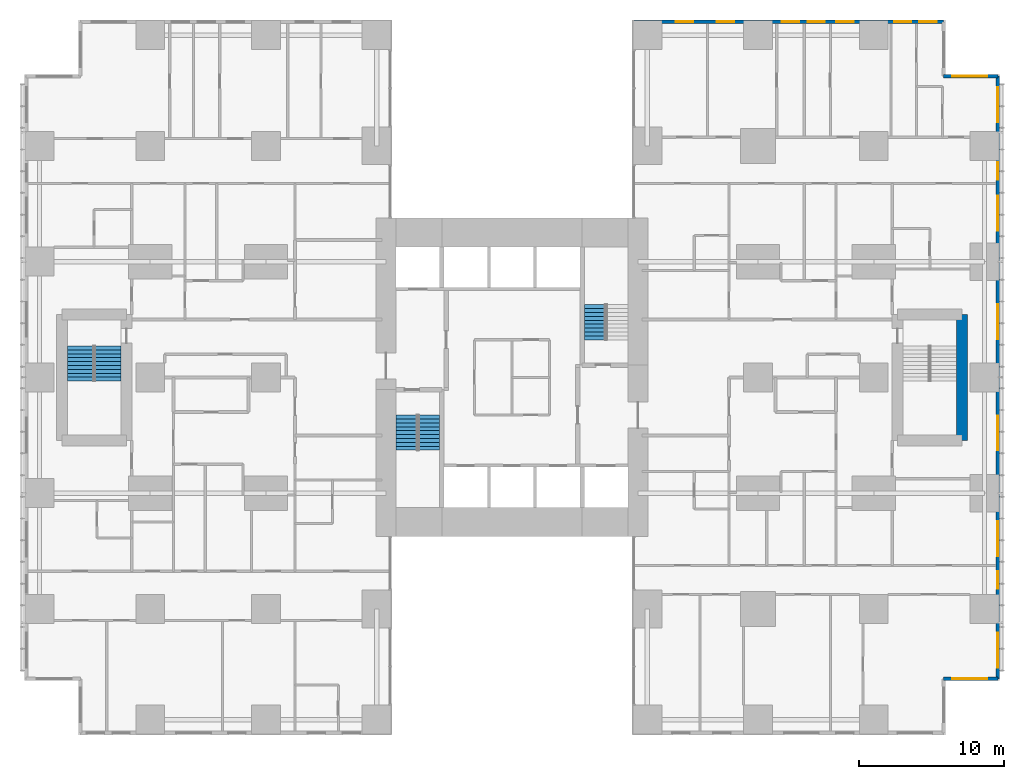
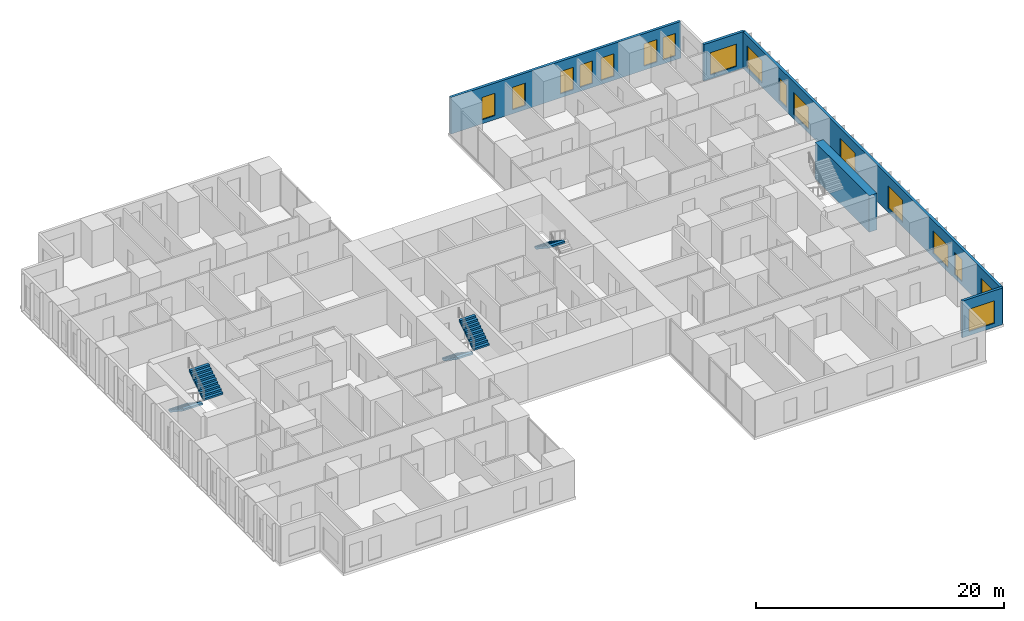
# One storey, part 19 of 21: 17 windows, 5 stair flights, 5 walls, 17 openings, 3 elements without a shape of their own.
"""IFC4 building model written with IfcOpenShell, lengths in metres."""

from ifc_helpers import new_model, si_unit, direction, frame, frame_2d, origin, place, context, subcontext, project, spatial, polyline, rectangle, outline, extrude, material, layer, layer_set, type_object, element, fill, aggregate, save


model = new_model("IFC4")

# Units and contexts
model_context = context("Model", 3, precision=1e-05, world=origin(), true_north=direction((0.0, 1.0)))
body_context = subcontext(model_context, "Body", "Model", "MODEL_VIEW")
ifc_project = project(units=[si_unit("LENGTHUNIT", "METRE"), si_unit("AREAUNIT", "SQUARE_METRE"), si_unit("VOLUMEUNIT", "CUBIC_METRE"), si_unit("PLANEANGLEUNIT", "RADIAN"), si_unit("MASSUNIT", "GRAM", prefix="KILO")], contexts=[model_context])

# Site, building, storey
site_placement = place(None, origin())
site = spatial("IfcSite", under=ifc_project, at=site_placement, CompositionType="ELEMENT")
building_placement = place(site_placement, origin())
building = spatial("IfcBuilding", under=site, at=building_placement, Name="Cleftline Residences", CompositionType="ELEMENT")
storey_placement = place(building_placement, frame((0.0, 0.0, 161.0)))
storey = spatial("IfcBuildingStorey", under=building, at=storey_placement, Name="L42", CompositionType="ELEMENT", Elevation=161.0)

# Wall, opening, window
ifc_material_1 = material(Name="Rendered reinforced concrete blockwork", Category="masonry")
ifc_layer_1 = layer(ifc_material_1, 0.25)
ifc_layer_set_1 = layer_set([ifc_layer_1], Name="EXTERNAL WALL 250")
wall_type_1 = type_object("IfcWallType", Name="EXTERNAL WALL 250", PredefinedType="SOLIDWALL", material=ifc_layer_set_1)
wall_1_placement = place(storey_placement, frame((62.824951171875, 3.175048828125, 0.0), z_axis=(0.0, 0.0, 1.0), x_axis=(1.0, 0.0, 0.0)))
wall_1 = element("IfcWall", 1, at=wall_1_placement, inside=storey, type_object=wall_type_1, Name="External wall", PredefinedType="SOLIDWALL", context=body_context, shape_type="SweptSolid", body=[
    extrude(rectangle(XDim=3.75, YDim=0.25, at=frame_2d((1.875, 0.0))), origin(), (0.0, 0.0, 1.0), 3.60009765625),
])
opening_1_placement = place(wall_1_placement, frame((0.612548828125, 0.0, 0.39990234375)))
opening_1 = element("IfcOpeningElement", 2, at=opening_1_placement, cuts=wall_1, Name="Opening W12", PredefinedType="OPENING", context=body_context, shape_type="SweptSolid", body=[
    extrude(rectangle(XDim=2.39990234375, YDim=2.199951171875, at=frame_2d((1.199951171875, 1.10009765625))), frame((0.0, 0.135009765625, 0.0), z_axis=(0.0, -1.0, 0.0), x_axis=(1.0, 0.0, 0.0)), (0.0, 0.0, 1.0), 0.27001953125),
])
ifc_material_2 = material(Name="Aluminium frame, clear double glazing", Category="aluminium")
window_type_1 = type_object("IfcWindowType", Name="WINDOW 2400X2200", PartitioningType="DOUBLE_PANEL_VERTICAL", PredefinedType="WINDOW", material=ifc_material_2)
window_1_placement = place(opening_1_placement, origin())
window_1 = element("IfcWindow", 3, at=window_1_placement, inside=storey, type_object=window_type_1, Name="Window", OverallHeight=2.199951171875, OverallWidth=2.39990234375, PartitioningType="SINGLE_PANEL", PredefinedType="WINDOW", context=body_context, shape_type="SweptSolid", body=[
    extrude(rectangle(XDim=2.39990234375, YDim=2.199951171875, at=frame_2d((1.199951171875, 1.10009765625))), frame((0.0, 0.030029296875, 0.0), z_axis=(0.0, -1.0, 0.0), x_axis=(1.0, 0.0, 0.0)), (0.0, 0.0, 1.0), 0.06005859375),
])
fill(opening_1, window_1)

# Wall, openings, windows
wall_2_placement = place(storey_placement, frame((66.574951171875, 3.175048828125, 0.0), z_axis=(0.0, 0.0, 1.0), x_axis=(0.0, 1.0, 0.0)))
wall_2 = element("IfcWall", 4, at=wall_2_placement, inside=storey, type_object=wall_type_1, Name="External wall", PredefinedType="SOLIDWALL", context=body_context, shape_type="SweptSolid", body=[
    extrude(rectangle(XDim=41.64990234375, YDim=0.25, at=frame_2d((20.824951171875, 0.0))), origin(), (0.0, 0.0, 1.0), 3.60009765625),
])
opening_2_placement = place(wall_2_placement, frame((0.77490234375, 0.0, 0.39990234375)))
opening_2 = element("IfcOpeningElement", 5, at=opening_2_placement, cuts=wall_2, Name="Opening W12", PredefinedType="OPENING", context=body_context, shape_type="SweptSolid", body=[
    extrude(rectangle(XDim=2.39990234375, YDim=2.199951171875, at=frame_2d((1.199951171875, 1.10009765625))), frame((0.0, 0.135009765625, 0.0), z_axis=(0.0, -1.0, 0.0), x_axis=(1.0, 0.0, 0.0)), (0.0, 0.0, 1.0), 0.27001953125),
])
opening_3_placement = place(wall_2_placement, frame((6.22509765625, 0.0, 0.39990234375)))
opening_3 = element("IfcOpeningElement", 6, at=opening_3_placement, cuts=wall_2, Name="Opening W11", PredefinedType="OPENING", context=body_context, shape_type="SweptSolid", body=[
    extrude(rectangle(XDim=1.199951171875, YDim=2.199951171875, at=frame_2d((0.60009765625, 1.10009765625))), frame((0.0, 0.135009765625, 0.0), z_axis=(0.0, -1.0, 0.0), x_axis=(1.0, 0.0, 0.0)), (0.0, 0.0, 1.0), 0.27001953125),
])
opening_4_placement = place(wall_2_placement, frame((8.47509765625, 0.0, 0.39990234375)))
opening_4 = element("IfcOpeningElement", 7, at=opening_4_placement, cuts=wall_2, Name="Opening W12", PredefinedType="OPENING", context=body_context, shape_type="SweptSolid", body=[
    extrude(rectangle(XDim=2.39990234375, YDim=2.199951171875, at=frame_2d((1.199951171875, 1.10009765625))), frame((0.0, 0.135009765625, 0.0), z_axis=(0.0, -1.0, 0.0), x_axis=(1.0, 0.0, 0.0)), (0.0, 0.0, 1.0), 0.27001953125),
])
opening_5_placement = place(wall_2_placement, frame((15.77490234375, 0.0, 0.39990234375)))
opening_5 = element("IfcOpeningElement", 8, at=opening_5_placement, cuts=wall_2, Name="Opening W12", PredefinedType="OPENING", context=body_context, shape_type="SweptSolid", body=[
    extrude(rectangle(XDim=2.39990234375, YDim=2.199951171875, at=frame_2d((1.199951171875, 1.10009765625))), frame((0.0, 0.135009765625, 0.0), z_axis=(0.0, -1.0, 0.0), x_axis=(1.0, 0.0, 0.0)), (0.0, 0.0, 1.0), 0.27001953125),
])
opening_6_placement = place(wall_2_placement, frame((23.47509765625, 0.0, 0.39990234375)))
opening_6 = element("IfcOpeningElement", 9, at=opening_6_placement, cuts=wall_2, Name="Opening W12", PredefinedType="OPENING", context=body_context, shape_type="SweptSolid", body=[
    extrude(rectangle(XDim=2.39990234375, YDim=2.199951171875, at=frame_2d((1.199951171875, 1.10009765625))), frame((0.0, 0.135009765625, 0.0), z_axis=(0.0, -1.0, 0.0), x_axis=(1.0, 0.0, 0.0)), (0.0, 0.0, 1.0), 0.27001953125),
])
opening_7_placement = place(wall_2_placement, frame((30.97509765625, 0.0, 0.39990234375)))
opening_7 = element("IfcOpeningElement", 10, at=opening_7_placement, cuts=wall_2, Name="Opening W12", PredefinedType="OPENING", context=body_context, shape_type="SweptSolid", body=[
    extrude(rectangle(XDim=2.39990234375, YDim=2.199951171875, at=frame_2d((1.199951171875, 1.10009765625))), frame((0.0, 0.135009765625, 0.0), z_axis=(0.0, -1.0, 0.0), x_axis=(1.0, 0.0, 0.0)), (0.0, 0.0, 1.0), 0.27001953125),
])
opening_8_placement = place(wall_2_placement, frame((34.5, 0.0, 0.39990234375)))
opening_8 = element("IfcOpeningElement", 11, at=opening_8_placement, cuts=wall_2, Name="Opening W11", PredefinedType="OPENING", context=body_context, shape_type="SweptSolid", body=[
    extrude(rectangle(XDim=1.199951171875, YDim=2.199951171875, at=frame_2d((0.60009765625, 1.10009765625))), frame((0.0, 0.135009765625, 0.0), z_axis=(0.0, -1.0, 0.0), x_axis=(1.0, 0.0, 0.0)), (0.0, 0.0, 1.0), 0.27001953125),
])
opening_9_placement = place(wall_2_placement, frame((38.47509765625, 0.0, 0.39990234375)))
opening_9 = element("IfcOpeningElement", 12, at=opening_9_placement, cuts=wall_2, Name="Opening W12", PredefinedType="OPENING", context=body_context, shape_type="SweptSolid", body=[
    extrude(rectangle(XDim=2.39990234375, YDim=2.199951171875, at=frame_2d((1.199951171875, 1.10009765625))), frame((0.0, 0.135009765625, 0.0), z_axis=(0.0, -1.0, 0.0), x_axis=(1.0, 0.0, 0.0)), (0.0, 0.0, 1.0), 0.27001953125),
])
ifc_material_3 = material(Name="Aluminium frame, clear double glazing", Category="aluminium")
window_type_2 = type_object("IfcWindowType", Name="WINDOW 1200X2200", PartitioningType="DOUBLE_PANEL_VERTICAL", PredefinedType="WINDOW", material=ifc_material_3)
window_2_placement = place(opening_3_placement, origin())
window_2 = element("IfcWindow", 13, at=window_2_placement, inside=storey, type_object=window_type_2, Name="Window", OverallHeight=2.199951171875, OverallWidth=1.199951171875, PartitioningType="SINGLE_PANEL", PredefinedType="WINDOW", context=body_context, shape_type="SweptSolid", body=[
    extrude(rectangle(XDim=1.199951171875, YDim=2.199951171875, at=frame_2d((0.60009765625, 1.10009765625))), frame((0.0, 0.030029296875, 0.0), z_axis=(0.0, -1.0, 0.0), x_axis=(1.0, 0.0, 0.0)), (0.0, 0.0, 1.0), 0.06005859375),
])
fill(opening_3, window_2)
window_3_placement = place(opening_8_placement, origin())
window_3 = element("IfcWindow", 14, at=window_3_placement, inside=storey, type_object=window_type_2, Name="Window", OverallHeight=2.199951171875, OverallWidth=1.199951171875, PartitioningType="SINGLE_PANEL", PredefinedType="WINDOW", context=body_context, shape_type="SweptSolid", body=[
    extrude(rectangle(XDim=1.199951171875, YDim=2.199951171875, at=frame_2d((0.60009765625, 1.10009765625))), frame((0.0, 0.030029296875, 0.0), z_axis=(0.0, -1.0, 0.0), x_axis=(1.0, 0.0, 0.0)), (0.0, 0.0, 1.0), 0.06005859375),
])
fill(opening_8, window_3)
window_4_placement = place(opening_2_placement, origin())
window_4 = element("IfcWindow", 15, at=window_4_placement, inside=storey, type_object=window_type_1, Name="Window", OverallHeight=2.199951171875, OverallWidth=2.39990234375, PartitioningType="SINGLE_PANEL", PredefinedType="WINDOW", context=body_context, shape_type="SweptSolid", body=[
    extrude(rectangle(XDim=2.39990234375, YDim=2.199951171875, at=frame_2d((1.199951171875, 1.10009765625))), frame((0.0, 0.030029296875, 0.0), z_axis=(0.0, -1.0, 0.0), x_axis=(1.0, 0.0, 0.0)), (0.0, 0.0, 1.0), 0.06005859375),
])
fill(opening_2, window_4)
window_5_placement = place(opening_4_placement, origin())
window_5 = element("IfcWindow", 16, at=window_5_placement, inside=storey, type_object=window_type_1, Name="Window", OverallHeight=2.199951171875, OverallWidth=2.39990234375, PartitioningType="SINGLE_PANEL", PredefinedType="WINDOW", context=body_context, shape_type="SweptSolid", body=[
    extrude(rectangle(XDim=2.39990234375, YDim=2.199951171875, at=frame_2d((1.199951171875, 1.10009765625))), frame((0.0, 0.030029296875, 0.0), z_axis=(0.0, -1.0, 0.0), x_axis=(1.0, 0.0, 0.0)), (0.0, 0.0, 1.0), 0.06005859375),
])
fill(opening_4, window_5)
window_6_placement = place(opening_5_placement, origin())
window_6 = element("IfcWindow", 17, at=window_6_placement, inside=storey, type_object=window_type_1, Name="Window", OverallHeight=2.199951171875, OverallWidth=2.39990234375, PartitioningType="SINGLE_PANEL", PredefinedType="WINDOW", context=body_context, shape_type="SweptSolid", body=[
    extrude(rectangle(XDim=2.39990234375, YDim=2.199951171875, at=frame_2d((1.199951171875, 1.10009765625))), frame((0.0, 0.030029296875, 0.0), z_axis=(0.0, -1.0, 0.0), x_axis=(1.0, 0.0, 0.0)), (0.0, 0.0, 1.0), 0.06005859375),
])
fill(opening_5, window_6)
window_7_placement = place(opening_6_placement, origin())
window_7 = element("IfcWindow", 18, at=window_7_placement, inside=storey, type_object=window_type_1, Name="Window", OverallHeight=2.199951171875, OverallWidth=2.39990234375, PartitioningType="SINGLE_PANEL", PredefinedType="WINDOW", context=body_context, shape_type="SweptSolid", body=[
    extrude(rectangle(XDim=2.39990234375, YDim=2.199951171875, at=frame_2d((1.199951171875, 1.10009765625))), frame((0.0, 0.030029296875, 0.0), z_axis=(0.0, -1.0, 0.0), x_axis=(1.0, 0.0, 0.0)), (0.0, 0.0, 1.0), 0.06005859375),
])
fill(opening_6, window_7)
window_8_placement = place(opening_7_placement, origin())
window_8 = element("IfcWindow", 19, at=window_8_placement, inside=storey, type_object=window_type_1, Name="Window", OverallHeight=2.199951171875, OverallWidth=2.39990234375, PartitioningType="SINGLE_PANEL", PredefinedType="WINDOW", context=body_context, shape_type="SweptSolid", body=[
    extrude(rectangle(XDim=2.39990234375, YDim=2.199951171875, at=frame_2d((1.199951171875, 1.10009765625))), frame((0.0, 0.030029296875, 0.0), z_axis=(0.0, -1.0, 0.0), x_axis=(1.0, 0.0, 0.0)), (0.0, 0.0, 1.0), 0.06005859375),
])
fill(opening_7, window_8)
window_9_placement = place(opening_9_placement, origin())
window_9 = element("IfcWindow", 20, at=window_9_placement, inside=storey, type_object=window_type_1, Name="Window", OverallHeight=2.199951171875, OverallWidth=2.39990234375, PartitioningType="SINGLE_PANEL", PredefinedType="WINDOW", context=body_context, shape_type="SweptSolid", body=[
    extrude(rectangle(XDim=2.39990234375, YDim=2.199951171875, at=frame_2d((1.199951171875, 1.10009765625))), frame((0.0, 0.030029296875, 0.0), z_axis=(0.0, -1.0, 0.0), x_axis=(1.0, 0.0, 0.0)), (0.0, 0.0, 1.0), 0.06005859375),
])
fill(opening_9, window_9)

# Wall, opening, window
wall_3_placement = place(storey_placement, frame((66.574951171875, 44.824951171875, 0.0), z_axis=(0.0, 0.0, 1.0), x_axis=(-1.0, 0.0, 0.0)))
wall_3 = element("IfcWall", 21, at=wall_3_placement, inside=storey, type_object=wall_type_1, Name="External wall", PredefinedType="SOLIDWALL", context=body_context, shape_type="SweptSolid", body=[
    extrude(rectangle(XDim=3.75, YDim=0.25, at=frame_2d((1.875, 0.0))), origin(), (0.0, 0.0, 1.0), 3.60009765625),
])
opening_10_placement = place(wall_3_placement, frame((0.737548828125, 0.0, 0.39990234375)))
opening_10 = element("IfcOpeningElement", 22, at=opening_10_placement, cuts=wall_3, Name="Opening W12", PredefinedType="OPENING", context=body_context, shape_type="SweptSolid", body=[
    extrude(rectangle(XDim=2.39990234375, YDim=2.199951171875, at=frame_2d((1.199951171875, 1.10009765625))), frame((0.0, 0.135009765625, 0.0), z_axis=(0.0, -1.0, 0.0), x_axis=(1.0, 0.0, 0.0)), (0.0, 0.0, 1.0), 0.27001953125),
])
window_10_placement = place(opening_10_placement, origin())
window_10 = element("IfcWindow", 23, at=window_10_placement, inside=storey, type_object=window_type_1, Name="Window", OverallHeight=2.199951171875, OverallWidth=2.39990234375, PartitioningType="SINGLE_PANEL", PredefinedType="WINDOW", context=body_context, shape_type="SweptSolid", body=[
    extrude(rectangle(XDim=2.39990234375, YDim=2.199951171875, at=frame_2d((1.199951171875, 1.10009765625))), frame((0.0, 0.030029296875, 0.0), z_axis=(0.0, -1.0, 0.0), x_axis=(1.0, 0.0, 0.0)), (0.0, 0.0, 1.0), 0.06005859375),
])
fill(opening_10, window_10)

# Wall, openings, windows
wall_4_placement = place(storey_placement, frame((62.824951171875, 48.574951171875, 0.0), z_axis=(0.0, 0.0, 1.0), x_axis=(-1.0, 0.0, 0.0)))
wall_4 = element("IfcWall", 24, at=wall_4_placement, inside=storey, type_object=wall_type_1, Name="External wall", PredefinedType="SOLIDWALL", context=body_context, shape_type="SweptSolid", body=[
    extrude(rectangle(XDim=21.39990234375, YDim=0.25, at=frame_2d((10.699951171875, 0.0))), origin(), (0.0, 0.0, 1.0), 3.60009765625),
])
opening_11_placement = place(wall_4_placement, frame((0.47509765625, 0.0, 0.39990234375)))
opening_11 = element("IfcOpeningElement", 25, at=opening_11_placement, cuts=wall_4, Name="Opening W11", PredefinedType="OPENING", context=body_context, shape_type="SweptSolid", body=[
    extrude(rectangle(XDim=1.199951171875, YDim=2.199951171875, at=frame_2d((0.60009765625, 1.10009765625))), frame((0.0, 0.135009765625, 0.0), z_axis=(0.0, -1.0, 0.0), x_axis=(1.0, 0.0, 0.0)), (0.0, 0.0, 1.0), 0.27001953125),
])
opening_12_placement = place(wall_4_placement, frame((2.22509765625, 0.0, 0.39990234375)))
opening_12 = element("IfcOpeningElement", 26, at=opening_12_placement, cuts=wall_4, Name="Opening W11", PredefinedType="OPENING", context=body_context, shape_type="SweptSolid", body=[
    extrude(rectangle(XDim=1.199951171875, YDim=2.199951171875, at=frame_2d((0.60009765625, 1.10009765625))), frame((0.0, 0.135009765625, 0.0), z_axis=(0.0, -1.0, 0.0), x_axis=(1.0, 0.0, 0.0)), (0.0, 0.0, 1.0), 0.27001953125),
])
opening_13_placement = place(wall_4_placement, frame((6.22509765625, 0.0, 0.39990234375)))
opening_13 = element("IfcOpeningElement", 27, at=opening_13_placement, cuts=wall_4, Name="Opening W11", PredefinedType="OPENING", context=body_context, shape_type="SweptSolid", body=[
    extrude(rectangle(XDim=1.199951171875, YDim=2.199951171875, at=frame_2d((0.60009765625, 1.10009765625))), frame((0.0, 0.135009765625, 0.0), z_axis=(0.0, -1.0, 0.0), x_axis=(1.0, 0.0, 0.0)), (0.0, 0.0, 1.0), 0.27001953125),
])
opening_14_placement = place(wall_4_placement, frame((8.199951171875, 0.0, 0.39990234375)))
opening_14 = element("IfcOpeningElement", 28, at=opening_14_placement, cuts=wall_4, Name="Opening W11", PredefinedType="OPENING", context=body_context, shape_type="SweptSolid", body=[
    extrude(rectangle(XDim=1.199951171875, YDim=2.199951171875, at=frame_2d((0.60009765625, 1.10009765625))), frame((0.0, 0.135009765625, 0.0), z_axis=(0.0, -1.0, 0.0), x_axis=(1.0, 0.0, 0.0)), (0.0, 0.0, 1.0), 0.27001953125),
])
opening_15_placement = place(wall_4_placement, frame((9.97509765625, 0.0, 0.39990234375)))
opening_15 = element("IfcOpeningElement", 29, at=opening_15_placement, cuts=wall_4, Name="Opening W11", PredefinedType="OPENING", context=body_context, shape_type="SweptSolid", body=[
    extrude(rectangle(XDim=1.199951171875, YDim=2.199951171875, at=frame_2d((0.60009765625, 1.10009765625))), frame((0.0, 0.135009765625, 0.0), z_axis=(0.0, -1.0, 0.0), x_axis=(1.0, 0.0, 0.0)), (0.0, 0.0, 1.0), 0.27001953125),
])
opening_16_placement = place(wall_4_placement, frame((14.47509765625, 0.0, 0.39990234375)))
opening_16 = element("IfcOpeningElement", 30, at=opening_16_placement, cuts=wall_4, Name="Opening W11", PredefinedType="OPENING", context=body_context, shape_type="SweptSolid", body=[
    extrude(rectangle(XDim=1.199951171875, YDim=2.199951171875, at=frame_2d((0.60009765625, 1.10009765625))), frame((0.0, 0.135009765625, 0.0), z_axis=(0.0, -1.0, 0.0), x_axis=(1.0, 0.0, 0.0)), (0.0, 0.0, 1.0), 0.27001953125),
])
opening_17_placement = place(wall_4_placement, frame((17.300048828125, 0.0, 0.39990234375)))
opening_17 = element("IfcOpeningElement", 31, at=opening_17_placement, cuts=wall_4, Name="Opening W11", PredefinedType="OPENING", context=body_context, shape_type="SweptSolid", body=[
    extrude(rectangle(XDim=1.199951171875, YDim=2.199951171875, at=frame_2d((0.60009765625, 1.10009765625))), frame((0.0, 0.135009765625, 0.0), z_axis=(0.0, -1.0, 0.0), x_axis=(1.0, 0.0, 0.0)), (0.0, 0.0, 1.0), 0.27001953125),
])
window_11_placement = place(opening_11_placement, origin())
window_11 = element("IfcWindow", 32, at=window_11_placement, inside=storey, type_object=window_type_2, Name="Window", OverallHeight=2.199951171875, OverallWidth=1.199951171875, PartitioningType="SINGLE_PANEL", PredefinedType="WINDOW", context=body_context, shape_type="SweptSolid", body=[
    extrude(rectangle(XDim=1.199951171875, YDim=2.199951171875, at=frame_2d((0.60009765625, 1.10009765625))), frame((0.0, 0.030029296875, 0.0), z_axis=(0.0, -1.0, 0.0), x_axis=(1.0, 0.0, 0.0)), (0.0, 0.0, 1.0), 0.06005859375),
])
fill(opening_11, window_11)
window_12_placement = place(opening_12_placement, origin())
window_12 = element("IfcWindow", 33, at=window_12_placement, inside=storey, type_object=window_type_2, Name="Window", OverallHeight=2.199951171875, OverallWidth=1.199951171875, PartitioningType="SINGLE_PANEL", PredefinedType="WINDOW", context=body_context, shape_type="SweptSolid", body=[
    extrude(rectangle(XDim=1.199951171875, YDim=2.199951171875, at=frame_2d((0.60009765625, 1.10009765625))), frame((0.0, 0.030029296875, 0.0), z_axis=(0.0, -1.0, 0.0), x_axis=(1.0, 0.0, 0.0)), (0.0, 0.0, 1.0), 0.06005859375),
])
fill(opening_12, window_12)
window_13_placement = place(opening_13_placement, origin())
window_13 = element("IfcWindow", 34, at=window_13_placement, inside=storey, type_object=window_type_2, Name="Window", OverallHeight=2.199951171875, OverallWidth=1.199951171875, PartitioningType="SINGLE_PANEL", PredefinedType="WINDOW", context=body_context, shape_type="SweptSolid", body=[
    extrude(rectangle(XDim=1.199951171875, YDim=2.199951171875, at=frame_2d((0.60009765625, 1.10009765625))), frame((0.0, 0.030029296875, 0.0), z_axis=(0.0, -1.0, 0.0), x_axis=(1.0, 0.0, 0.0)), (0.0, 0.0, 1.0), 0.06005859375),
])
fill(opening_13, window_13)
window_14_placement = place(opening_14_placement, origin())
window_14 = element("IfcWindow", 35, at=window_14_placement, inside=storey, type_object=window_type_2, Name="Window", OverallHeight=2.199951171875, OverallWidth=1.199951171875, PartitioningType="SINGLE_PANEL", PredefinedType="WINDOW", context=body_context, shape_type="SweptSolid", body=[
    extrude(rectangle(XDim=1.199951171875, YDim=2.199951171875, at=frame_2d((0.60009765625, 1.10009765625))), frame((0.0, 0.030029296875, 0.0), z_axis=(0.0, -1.0, 0.0), x_axis=(1.0, 0.0, 0.0)), (0.0, 0.0, 1.0), 0.06005859375),
])
fill(opening_14, window_14)
window_15_placement = place(opening_15_placement, origin())
window_15 = element("IfcWindow", 36, at=window_15_placement, inside=storey, type_object=window_type_2, Name="Window", OverallHeight=2.199951171875, OverallWidth=1.199951171875, PartitioningType="SINGLE_PANEL", PredefinedType="WINDOW", context=body_context, shape_type="SweptSolid", body=[
    extrude(rectangle(XDim=1.199951171875, YDim=2.199951171875, at=frame_2d((0.60009765625, 1.10009765625))), frame((0.0, 0.030029296875, 0.0), z_axis=(0.0, -1.0, 0.0), x_axis=(1.0, 0.0, 0.0)), (0.0, 0.0, 1.0), 0.06005859375),
])
fill(opening_15, window_15)
window_16_placement = place(opening_16_placement, origin())
window_16 = element("IfcWindow", 37, at=window_16_placement, inside=storey, type_object=window_type_2, Name="Window", OverallHeight=2.199951171875, OverallWidth=1.199951171875, PartitioningType="SINGLE_PANEL", PredefinedType="WINDOW", context=body_context, shape_type="SweptSolid", body=[
    extrude(rectangle(XDim=1.199951171875, YDim=2.199951171875, at=frame_2d((0.60009765625, 1.10009765625))), frame((0.0, 0.030029296875, 0.0), z_axis=(0.0, -1.0, 0.0), x_axis=(1.0, 0.0, 0.0)), (0.0, 0.0, 1.0), 0.06005859375),
])
fill(opening_16, window_16)
window_17_placement = place(opening_17_placement, origin())
window_17 = element("IfcWindow", 38, at=window_17_placement, inside=storey, type_object=window_type_2, Name="Window", OverallHeight=2.199951171875, OverallWidth=1.199951171875, PartitioningType="SINGLE_PANEL", PredefinedType="WINDOW", context=body_context, shape_type="SweptSolid", body=[
    extrude(rectangle(XDim=1.199951171875, YDim=2.199951171875, at=frame_2d((0.60009765625, 1.10009765625))), frame((0.0, 0.030029296875, 0.0), z_axis=(0.0, -1.0, 0.0), x_axis=(1.0, 0.0, 0.0)), (0.0, 0.0, 1.0), 0.06005859375),
])
fill(opening_17, window_17)

# Wall
ifc_material_4 = material(Name="Concrete B70", Category="concrete")
ifc_layer_2 = layer(ifc_material_4, 0.75)
ifc_layer_set_2 = layer_set([ifc_layer_2], Name="SHEAR WALL 750")
wall_type_2 = type_object("IfcWallType", Name="SHEAR WALL 750", PredefinedType="SHEAR", material=ifc_layer_set_2)
wall_5_placement = place(storey_placement, frame((64.10009765625, 19.64990234375, 0.0), z_axis=(0.0, 0.0, 1.0), x_axis=(0.0, 1.0, 0.0)))
element("IfcWall", 39, at=wall_5_placement, inside=storey, type_object=wall_type_2, Name="Wing shear wall", PredefinedType="SHEAR", context=body_context, shape_type="SweptSolid", body=[
    extrude(rectangle(XDim=8.7001953125, YDim=0.75, at=frame_2d((4.35009765625, 0.0))), origin(), (0.0, 0.0, 1.0), 3.60009765625),
])

# Stair, stair flights
ifc_material_5 = material(Name="Concrete B45, stone treads", Category="masonry")
stair_type_1 = type_object("IfcStairType", Name="STAIR A 1450 WIDE 180 RISER", PredefinedType="HALF_TURN_STAIR", material=ifc_material_5)
stair_1_placement = place(storey_placement, origin())
stair_1 = element("IfcStair", 40, at=stair_1_placement, inside=storey, type_object=stair_type_1, Name="Stair A L42", PredefinedType="HALF_TURN_STAIR")
ifc_material_6 = material(Name="Concrete B45", Category="concrete")
stair_flight_type_1 = type_object("IfcStairFlightType", Name="STAIR A FLIGHT 1450X180", PredefinedType="STRAIGHT", material=ifc_material_6)
stair_flight_1_placement = place(storey_placement, frame((25.72509765625, 21.39990234375, 0.0), z_axis=(0.0, 0.0, 1.0), x_axis=(0.0, -1.0, 0.0)))
stair_flight_1 = element("IfcStairFlight", 41, at=stair_flight_1_placement, type_object=stair_flight_type_1, Name="ST-A flight 1", NumberOfRisers=10, NumberOfTreads=9, PredefinedType="STRAIGHT", RiserHeight=0.18, TreadLength=0.27, context=body_context, shape_type="SweptSolid", body=[
    extrude(outline(polyline([(0.0, 0.0), (0.0, 0.013916015625), (0.0, 0.027587890625), (0.0, 0.04150390625), (0.0, 0.055419921875), (0.0, 0.0693359375), (0.0, 0.0830078125), (0.0, 0.096923828125), (0.0, 0.11083984375), (0.0, 0.12451171875), (0.0, 0.138427734375), (0.0, 0.15234375), (0.0, 0.166259765625), (0.0, 0.179931640625), (0.27001953125, 0.179931640625), (0.27001953125, 0.360107421875), (0.5400390625, 0.360107421875), (0.5400390625, 0.5400390625), (0.81005859375, 0.5400390625), (0.81005859375, 0.719970703125), (1.080078125, 0.719970703125), (1.080078125, 0.89990234375), (1.35009765625, 0.89990234375), (1.35009765625, 1.080078125), (1.6201171875, 1.080078125), (1.6201171875, 1.260009765625), (1.889892578125, 1.260009765625), (1.889892578125, 1.43994140625), (2.159912109375, 1.43994140625), (2.159912109375, 1.6201171875), (2.429931640625, 1.6201171875), (2.429931640625, 1.800048828125), (2.429931640625, 1.772216796875), (2.429931640625, 1.74462890625), (2.429931640625, 1.716796875), (2.429931640625, 1.689208984375), (2.429931640625, 1.661376953125), (2.429931640625, 1.6337890625), (2.429931640625, 1.60595703125), (2.429931640625, 1.578369140625), (2.429931640625, 1.550537109375), (2.429931640625, 1.52294921875), (2.429931640625, 1.495361328125), (2.429931640625, 1.467529296875), (2.429931640625, 1.43994140625), (0.270263671875, 0.0), (0.0, 0.0)])), frame((0.0, 0.72509765625, 0.0), z_axis=(0.0, -1.0, 0.0), x_axis=(1.0, 0.0, 0.0)), (0.0, 0.0, 1.0), 1.449951171875),
])
stair_flight_2_placement = place(storey_placement, frame((27.27490234375, 18.969970703125, 1.800048828125), z_axis=(0.0, 0.0, 1.0), x_axis=(0.0, 1.0, 0.0)))
stair_flight_2 = element("IfcStairFlight", 42, at=stair_flight_2_placement, type_object=stair_flight_type_1, Name="ST-A flight 2", NumberOfRisers=10, NumberOfTreads=9, PredefinedType="STRAIGHT", RiserHeight=0.18, TreadLength=0.27, context=body_context, shape_type="SweptSolid", body=[
    extrude(outline(polyline([(0.0, 0.0), (0.0, 0.013916015625), (0.0, 0.027587890625), (0.0, 0.04150390625), (0.0, 0.055419921875), (0.0, 0.0693359375), (0.0, 0.0830078125), (0.0, 0.096923828125), (0.0, 0.11083984375), (0.0, 0.12451171875), (0.0, 0.138427734375), (0.0, 0.15234375), (0.0, 0.166259765625), (0.0, 0.179931640625), (0.27001953125, 0.179931640625), (0.27001953125, 0.360107421875), (0.5400390625, 0.360107421875), (0.5400390625, 0.5400390625), (0.81005859375, 0.5400390625), (0.81005859375, 0.719970703125), (1.080078125, 0.719970703125), (1.080078125, 0.89990234375), (1.35009765625, 0.89990234375), (1.35009765625, 1.080078125), (1.6201171875, 1.080078125), (1.6201171875, 1.260009765625), (1.889892578125, 1.260009765625), (1.889892578125, 1.43994140625), (2.159912109375, 1.43994140625), (2.159912109375, 1.6201171875), (2.429931640625, 1.6201171875), (2.429931640625, 1.800048828125), (2.429931640625, 1.772216796875), (2.429931640625, 1.74462890625), (2.429931640625, 1.716796875), (2.429931640625, 1.689208984375), (2.429931640625, 1.661376953125), (2.429931640625, 1.6337890625), (2.429931640625, 1.60595703125), (2.429931640625, 1.578369140625), (2.429931640625, 1.550537109375), (2.429931640625, 1.52294921875), (2.429931640625, 1.495361328125), (2.429931640625, 1.467529296875), (2.429931640625, 1.43994140625), (0.270263671875, 0.0), (0.0, 0.0)])), frame((0.0, 0.72509765625, 0.0), z_axis=(0.0, -1.0, 0.0), x_axis=(1.0, 0.0, 0.0)), (0.0, 0.0, 1.0), 1.449951171875),
])
aggregate(stair_1, [stair_flight_1, stair_flight_2])

# Stair, stair flight
ifc_material_7 = material(Name="Concrete B45, stone treads", Category="masonry")
stair_type_2 = type_object("IfcStairType", Name="STAIR B 1450 WIDE 180 RISER", PredefinedType="HALF_TURN_STAIR", material=ifc_material_7)
stair_2_placement = place(storey_placement, origin())
stair_2 = element("IfcStair", 43, at=stair_2_placement, inside=storey, type_object=stair_type_2, Name="Stair B L42", PredefinedType="HALF_TURN_STAIR")
ifc_material_8 = material(Name="Concrete B45", Category="concrete")
stair_flight_type_2 = type_object("IfcStairFlightType", Name="STAIR B FLIGHT 1450X180", PredefinedType="STRAIGHT", material=ifc_material_8)
stair_flight_3_placement = place(storey_placement, frame((38.72509765625, 29.030029296875, 1.800048828125), z_axis=(0.0, 0.0, 1.0), x_axis=(0.0, -1.0, 0.0)))
stair_flight_3 = element("IfcStairFlight", 44, at=stair_flight_3_placement, type_object=stair_flight_type_2, Name="ST-B flight 2", NumberOfRisers=10, NumberOfTreads=9, PredefinedType="STRAIGHT", RiserHeight=0.18, TreadLength=0.27, context=body_context, shape_type="SweptSolid", body=[
    extrude(outline(polyline([(0.0, 0.0), (0.0, 0.013916015625), (0.0, 0.027587890625), (0.0, 0.04150390625), (0.0, 0.055419921875), (0.0, 0.0693359375), (0.0, 0.0830078125), (0.0, 0.096923828125), (0.0, 0.11083984375), (0.0, 0.12451171875), (0.0, 0.138427734375), (0.0, 0.15234375), (0.0, 0.166259765625), (0.0, 0.179931640625), (0.27001953125, 0.179931640625), (0.27001953125, 0.360107421875), (0.5400390625, 0.360107421875), (0.5400390625, 0.5400390625), (0.81005859375, 0.5400390625), (0.81005859375, 0.719970703125), (1.080078125, 0.719970703125), (1.080078125, 0.89990234375), (1.35009765625, 0.89990234375), (1.35009765625, 1.080078125), (1.6201171875, 1.080078125), (1.6201171875, 1.260009765625), (1.889892578125, 1.260009765625), (1.889892578125, 1.43994140625), (2.159912109375, 1.43994140625), (2.159912109375, 1.6201171875), (2.429931640625, 1.6201171875), (2.429931640625, 1.800048828125), (2.429931640625, 1.772216796875), (2.429931640625, 1.74462890625), (2.429931640625, 1.716796875), (2.429931640625, 1.689208984375), (2.429931640625, 1.661376953125), (2.429931640625, 1.6337890625), (2.429931640625, 1.60595703125), (2.429931640625, 1.578369140625), (2.429931640625, 1.550537109375), (2.429931640625, 1.52294921875), (2.429931640625, 1.495361328125), (2.429931640625, 1.467529296875), (2.429931640625, 1.43994140625), (0.270263671875, 0.0), (0.0, 0.0)])), frame((0.0, 0.72509765625, 0.0), z_axis=(0.0, -1.0, 0.0), x_axis=(1.0, 0.0, 0.0)), (0.0, 0.0, 1.0), 1.449951171875),
])
aggregate(stair_2, [stair_flight_3])

# Stair, stair flights
ifc_material_9 = material(Name="Concrete B45, stone treads", Category="masonry")
stair_type_3 = type_object("IfcStairType", Name="STAIR W 1800 WIDE 180 RISER", PredefinedType="HALF_TURN_STAIR", material=ifc_material_9)
stair_3_placement = place(storey_placement, origin())
stair_3 = element("IfcStair", 45, at=stair_3_placement, inside=storey, type_object=stair_type_3, Name="Stair W L42", PredefinedType="HALF_TURN_STAIR")
ifc_material_10 = material(Name="Concrete B45", Category="concrete")
stair_flight_type_3 = type_object("IfcStairFlightType", Name="STAIR W FLIGHT 1800X180", PredefinedType="STRAIGHT", material=ifc_material_10)
stair_flight_4_placement = place(storey_placement, frame((3.175048828125, 26.175048828125, 0.0), z_axis=(0.0, 0.0, 1.0), x_axis=(0.0, -1.0, 0.0)))
stair_flight_4 = element("IfcStairFlight", 46, at=stair_flight_4_placement, type_object=stair_flight_type_3, Name="ST-W flight 1", NumberOfRisers=10, NumberOfTreads=9, PredefinedType="STRAIGHT", RiserHeight=0.18, TreadLength=0.27, context=body_context, shape_type="SweptSolid", body=[
    extrude(outline(polyline([(0.0, 0.0), (0.0, 0.013916015625), (0.0, 0.027587890625), (0.0, 0.04150390625), (0.0, 0.055419921875), (0.0, 0.0693359375), (0.0, 0.0830078125), (0.0, 0.096923828125), (0.0, 0.11083984375), (0.0, 0.12451171875), (0.0, 0.138427734375), (0.0, 0.15234375), (0.0, 0.166259765625), (0.0, 0.179931640625), (0.27001953125, 0.179931640625), (0.27001953125, 0.360107421875), (0.5400390625, 0.360107421875), (0.5400390625, 0.5400390625), (0.81005859375, 0.5400390625), (0.81005859375, 0.719970703125), (1.080078125, 0.719970703125), (1.080078125, 0.89990234375), (1.35009765625, 0.89990234375), (1.35009765625, 1.080078125), (1.6201171875, 1.080078125), (1.6201171875, 1.260009765625), (1.889892578125, 1.260009765625), (1.889892578125, 1.43994140625), (2.159912109375, 1.43994140625), (2.159912109375, 1.6201171875), (2.429931640625, 1.6201171875), (2.429931640625, 1.800048828125), (2.429931640625, 1.772216796875), (2.429931640625, 1.74462890625), (2.429931640625, 1.716796875), (2.429931640625, 1.689208984375), (2.429931640625, 1.661376953125), (2.429931640625, 1.6337890625), (2.429931640625, 1.60595703125), (2.429931640625, 1.578369140625), (2.429931640625, 1.550537109375), (2.429931640625, 1.52294921875), (2.429931640625, 1.495361328125), (2.429931640625, 1.467529296875), (2.429931640625, 1.43994140625), (0.270263671875, 0.0), (0.0, 0.0)])), frame((0.0, 0.89990234375, 0.0), z_axis=(0.0, -1.0, 0.0), x_axis=(1.0, 0.0, 0.0)), (0.0, 0.0, 1.0), 1.800048828125),
])
stair_flight_5_placement = place(storey_placement, frame((5.074951171875, 23.7451171875, 1.800048828125), z_axis=(0.0, 0.0, 1.0), x_axis=(0.0, 1.0, 0.0)))
stair_flight_5 = element("IfcStairFlight", 47, at=stair_flight_5_placement, type_object=stair_flight_type_3, Name="ST-W flight 2", NumberOfRisers=10, NumberOfTreads=9, PredefinedType="STRAIGHT", RiserHeight=0.18, TreadLength=0.27, context=body_context, shape_type="SweptSolid", body=[
    extrude(outline(polyline([(0.0, 0.0), (0.0, 0.013916015625), (0.0, 0.027587890625), (0.0, 0.04150390625), (0.0, 0.055419921875), (0.0, 0.0693359375), (0.0, 0.0830078125), (0.0, 0.096923828125), (0.0, 0.11083984375), (0.0, 0.12451171875), (0.0, 0.138427734375), (0.0, 0.15234375), (0.0, 0.166259765625), (0.0, 0.179931640625), (0.27001953125, 0.179931640625), (0.27001953125, 0.360107421875), (0.5400390625, 0.360107421875), (0.5400390625, 0.5400390625), (0.81005859375, 0.5400390625), (0.81005859375, 0.719970703125), (1.080078125, 0.719970703125), (1.080078125, 0.89990234375), (1.35009765625, 0.89990234375), (1.35009765625, 1.080078125), (1.6201171875, 1.080078125), (1.6201171875, 1.260009765625), (1.889892578125, 1.260009765625), (1.889892578125, 1.43994140625), (2.159912109375, 1.43994140625), (2.159912109375, 1.6201171875), (2.429931640625, 1.6201171875), (2.429931640625, 1.800048828125), (2.429931640625, 1.772216796875), (2.429931640625, 1.74462890625), (2.429931640625, 1.716796875), (2.429931640625, 1.689208984375), (2.429931640625, 1.661376953125), (2.429931640625, 1.6337890625), (2.429931640625, 1.60595703125), (2.429931640625, 1.578369140625), (2.429931640625, 1.550537109375), (2.429931640625, 1.52294921875), (2.429931640625, 1.495361328125), (2.429931640625, 1.467529296875), (2.429931640625, 1.43994140625), (0.270263671875, 0.0), (0.0, 0.0)])), frame((0.0, 0.89990234375, 0.0), z_axis=(0.0, -1.0, 0.0), x_axis=(1.0, 0.0, 0.0)), (0.0, 0.0, 1.0), 1.800048828125),
])
aggregate(stair_3, [stair_flight_4, stair_flight_5])

save(model, "model.ifc")
